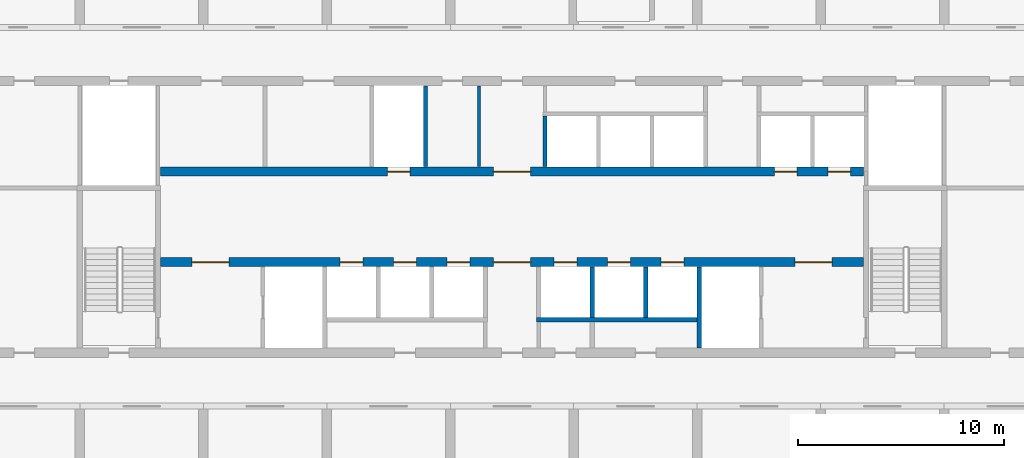
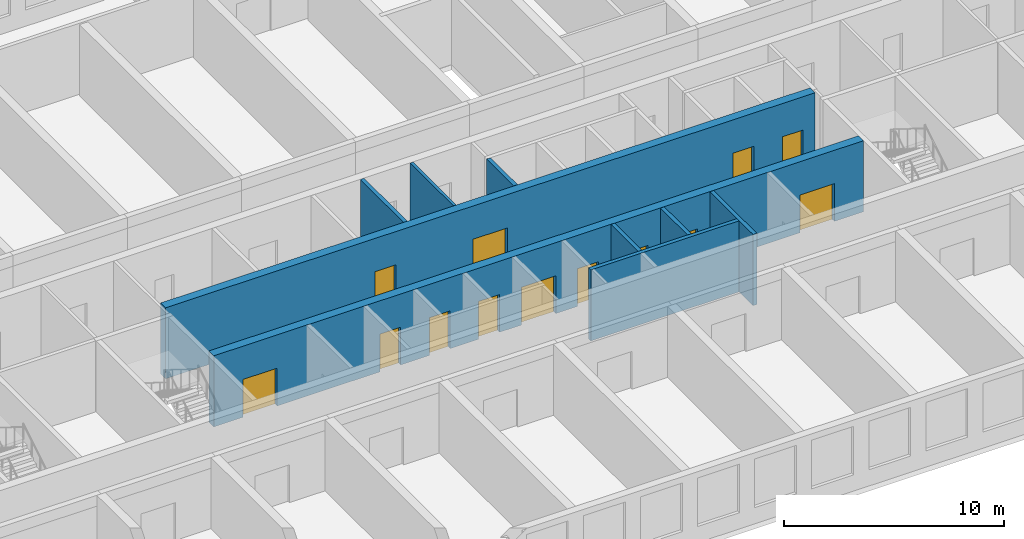
# One storey, part 5 of 15: 13 doors, 9 walls, 13 openings.
"""IFC4 building model written with IfcOpenShell, lengths in metres."""

from ifc_helpers import new_model, si_unit, direction, frame, frame_2d, origin, place, context, subcontext, project, spatial, rectangle, extrude, material, layer, layer_set, type_object, element, fill, save


model = new_model("IFC4")

# Units and contexts
model_context = context("Model", 3, precision=1e-05, world=origin(), true_north=direction((0.0, 1.0)))
body_context = subcontext(model_context, "Body", "Model", "MODEL_VIEW")
ifc_project = project(units=[si_unit("LENGTHUNIT", "METRE"), si_unit("AREAUNIT", "SQUARE_METRE"), si_unit("VOLUMEUNIT", "CUBIC_METRE"), si_unit("PLANEANGLEUNIT", "RADIAN"), si_unit("MASSUNIT", "GRAM", prefix="KILO")], contexts=[model_context])

# Site, building, storey
site_placement = place(None, origin())
site = spatial("IfcSite", under=ifc_project, at=site_placement, CompositionType="ELEMENT")
building_placement = place(site_placement, origin())
building = spatial("IfcBuilding", under=site, at=building_placement, Name="Poui Terraces", CompositionType="ELEMENT")
storey_placement = place(building_placement, frame((0.0, 0.0, 19.199951171875)))
storey = spatial("IfcBuildingStorey", under=building, at=storey_placement, Name="L04", CompositionType="ELEMENT", Elevation=19.199951171875)

# Wall, openings, doors
ifc_material_1 = material(Name="Concrete 80 MPa", Category="concrete")
ifc_layer_1 = layer(ifc_material_1, 0.449951171875)
ifc_layer_set_1 = layer_set([ifc_layer_1], Name="Concrete 80 MPa")
wall_type_1 = type_object("IfcWallType", Name="CORE WALL 450 80 MPA", PredefinedType="SOLIDWALL", material=ifc_layer_set_1)
wall_1_placement = place(storey_placement, frame((33.925048828125, 19.0, 0.0), z_axis=(0.0, 0.0, 1.0), x_axis=(1.0, 0.0, 0.0)))
wall_1 = element("IfcWall", 1, at=wall_1_placement, inside=storey, type_object=wall_type_1, Name="CORE WALL", PredefinedType="SOLIDWALL", context=body_context, shape_type="SweptSolid", body=[
    extrude(rectangle(XDim=34.14990234375, YDim=0.449951171875, at=frame_2d((17.074951171875, 0.0))), origin(), (0.0, 0.0, 1.0), 3.949951171875),
])
opening_1_placement = place(wall_1_placement, frame((16.175048828125, 0.0, 0.0)))
opening_1 = element("IfcOpeningElement", 2, at=opening_1_placement, cuts=wall_1, Name="Opening FDD60", PredefinedType="OPENING", context=body_context, shape_type="SweptSolid", body=[
    extrude(rectangle(XDim=1.800048828125, YDim=2.10009765625, at=frame_2d((0.89990234375, 1.050048828125))), frame((0.0, 0.23486328125, 0.0), z_axis=(0.0, -1.0, 0.0), x_axis=(1.0, 0.0, 0.0)), (0.0, 0.0, 1.0), 0.469970703125),
])
opening_2_placement = place(wall_1_placement, frame((1.52490234375, 0.0, 0.0)))
opening_2 = element("IfcOpeningElement", 3, at=opening_2_placement, cuts=wall_1, Name="Opening FDD60", PredefinedType="OPENING", context=body_context, shape_type="SweptSolid", body=[
    extrude(rectangle(XDim=1.800048828125, YDim=2.10009765625, at=frame_2d((0.89990234375, 1.050048828125))), frame((0.0, 0.23486328125, 0.0), z_axis=(0.0, -1.0, 0.0), x_axis=(1.0, 0.0, 0.0)), (0.0, 0.0, 1.0), 0.469970703125),
])
opening_3_placement = place(wall_1_placement, frame((8.72509765625, 0.0, 0.0)))
opening_3 = element("IfcOpeningElement", 4, at=opening_3_placement, cuts=wall_1, Name="Opening LD", PredefinedType="OPENING", context=body_context, shape_type="SweptSolid", body=[
    extrude(rectangle(XDim=1.10009765625, YDim=2.10009765625, at=frame_2d((0.550048828125, 1.050048828125))), frame((0.0, 0.23486328125, 0.0), z_axis=(0.0, -1.0, 0.0), x_axis=(1.0, 0.0, 0.0)), (0.0, 0.0, 1.0), 0.469970703125),
])
opening_4_placement = place(wall_1_placement, frame((11.324951171875, 0.0, 0.0)))
opening_4 = element("IfcOpeningElement", 5, at=opening_4_placement, cuts=wall_1, Name="Opening LD", PredefinedType="OPENING", context=body_context, shape_type="SweptSolid", body=[
    extrude(rectangle(XDim=1.10009765625, YDim=2.10009765625, at=frame_2d((0.550048828125, 1.050048828125))), frame((0.0, 0.23486328125, 0.0), z_axis=(0.0, -1.0, 0.0), x_axis=(1.0, 0.0, 0.0)), (0.0, 0.0, 1.0), 0.469970703125),
])
opening_5_placement = place(wall_1_placement, frame((13.925048828125, 0.0, 0.0)))
opening_5 = element("IfcOpeningElement", 6, at=opening_5_placement, cuts=wall_1, Name="Opening LD", PredefinedType="OPENING", context=body_context, shape_type="SweptSolid", body=[
    extrude(rectangle(XDim=1.10009765625, YDim=2.10009765625, at=frame_2d((0.550048828125, 1.050048828125))), frame((0.0, 0.23486328125, 0.0), z_axis=(0.0, -1.0, 0.0), x_axis=(1.0, 0.0, 0.0)), (0.0, 0.0, 1.0), 0.469970703125),
])
opening_6_placement = place(wall_1_placement, frame((19.125, 0.0, 0.0)))
opening_6 = element("IfcOpeningElement", 7, at=opening_6_placement, cuts=wall_1, Name="Opening LD", PredefinedType="OPENING", context=body_context, shape_type="SweptSolid", body=[
    extrude(rectangle(XDim=1.10009765625, YDim=2.10009765625, at=frame_2d((0.550048828125, 1.050048828125))), frame((0.0, 0.23486328125, 0.0), z_axis=(0.0, -1.0, 0.0), x_axis=(1.0, 0.0, 0.0)), (0.0, 0.0, 1.0), 0.469970703125),
])
opening_7_placement = place(wall_1_placement, frame((21.72509765625, 0.0, 0.0)))
opening_7 = element("IfcOpeningElement", 8, at=opening_7_placement, cuts=wall_1, Name="Opening LD", PredefinedType="OPENING", context=body_context, shape_type="SweptSolid", body=[
    extrude(rectangle(XDim=1.10009765625, YDim=2.10009765625, at=frame_2d((0.550048828125, 1.050048828125))), frame((0.0, 0.23486328125, 0.0), z_axis=(0.0, -1.0, 0.0), x_axis=(1.0, 0.0, 0.0)), (0.0, 0.0, 1.0), 0.469970703125),
])
opening_8_placement = place(wall_1_placement, frame((24.324951171875, 0.0, 0.0)))
opening_8 = element("IfcOpeningElement", 9, at=opening_8_placement, cuts=wall_1, Name="Opening LD", PredefinedType="OPENING", context=body_context, shape_type="SweptSolid", body=[
    extrude(rectangle(XDim=1.10009765625, YDim=2.10009765625, at=frame_2d((0.550048828125, 1.050048828125))), frame((0.0, 0.23486328125, 0.0), z_axis=(0.0, -1.0, 0.0), x_axis=(1.0, 0.0, 0.0)), (0.0, 0.0, 1.0), 0.469970703125),
])
opening_9_placement = place(wall_1_placement, frame((30.824951171875, 0.0, 0.0)))
opening_9 = element("IfcOpeningElement", 10, at=opening_9_placement, cuts=wall_1, Name="Opening FDD60", PredefinedType="OPENING", context=body_context, shape_type="SweptSolid", body=[
    extrude(rectangle(XDim=1.800048828125, YDim=2.10009765625, at=frame_2d((0.89990234375, 1.050048828125))), frame((0.0, 0.23486328125, 0.0), z_axis=(0.0, -1.0, 0.0), x_axis=(1.0, 0.0, 0.0)), (0.0, 0.0, 1.0), 0.469970703125),
])
ifc_material_2 = material(Name="Steel fire door", Category="steel")
door_type_1 = type_object("IfcDoorType", Name="DOUBLE LOBBY FIRE DOOR 1800 X 2100", OperationType="DOUBLE_DOOR_SINGLE_SWING", PredefinedType="DOOR", material=ifc_material_2)
door_1_placement = place(opening_1_placement, frame((1.800048828125, 0.0, 0.0), z_axis=(0.0, 0.0, 1.0), x_axis=(-1.0, 0.0, 0.0)))
door_1 = element("IfcDoor", 11, at=door_1_placement, inside=storey, type_object=door_type_1, Name="DOUBLE LOBBY FIRE DOOR 087", OperationType="DOUBLE_DOOR_SINGLE_SWING", OverallHeight=2.10009765625, OverallWidth=1.800048828125, PredefinedType="DOOR", context=body_context, shape_type="SweptSolid", body=[
    extrude(rectangle(XDim=1.800048828125, YDim=2.10009765625, at=frame_2d((0.89990234375, 1.050048828125))), frame((0.0, 0.02490234375, 0.0), z_axis=(0.0, -1.0, 0.0), x_axis=(1.0, 0.0, 0.0)), (0.0, 0.0, 1.0), 0.050048828125),
])
fill(opening_1, door_1)
door_2_placement = place(opening_2_placement, origin())
door_2 = element("IfcDoor", 12, at=door_2_placement, inside=storey, type_object=door_type_1, Name="DOUBLE LOBBY FIRE DOOR 088", OperationType="DOUBLE_DOOR_SINGLE_SWING", OverallHeight=2.10009765625, OverallWidth=1.800048828125, PredefinedType="DOOR", context=body_context, shape_type="SweptSolid", body=[
    extrude(rectangle(XDim=1.800048828125, YDim=2.10009765625, at=frame_2d((0.89990234375, 1.050048828125))), frame((0.0, 0.02490234375, 0.0), z_axis=(0.0, -1.0, 0.0), x_axis=(1.0, 0.0, 0.0)), (0.0, 0.0, 1.0), 0.050048828125),
])
fill(opening_2, door_2)
door_3_placement = place(opening_9_placement, origin())
door_3 = element("IfcDoor", 13, at=door_3_placement, inside=storey, type_object=door_type_1, Name="DOUBLE LOBBY FIRE DOOR 097", OperationType="DOUBLE_DOOR_SINGLE_SWING", OverallHeight=2.10009765625, OverallWidth=1.800048828125, PredefinedType="DOOR", context=body_context, shape_type="SweptSolid", body=[
    extrude(rectangle(XDim=1.800048828125, YDim=2.10009765625, at=frame_2d((0.89990234375, 1.050048828125))), frame((0.0, 0.02490234375, 0.0), z_axis=(0.0, -1.0, 0.0), x_axis=(1.0, 0.0, 0.0)), (0.0, 0.0, 1.0), 0.050048828125),
])
fill(opening_9, door_3)
ifc_material_3 = material(Name="Stainless steel sliding door", Category="steel")
door_type_2 = type_object("IfcDoorType", Name="LIFT LANDING DOOR 1100 X 2100", OperationType="DOUBLE_DOOR_SLIDING", PredefinedType="DOOR", material=ifc_material_3)
door_4_placement = place(opening_3_placement, origin())
door_4 = element("IfcDoor", 14, at=door_4_placement, inside=storey, type_object=door_type_2, Name="LANDING DOOR", OperationType="DOUBLE_DOOR_SLIDING", OverallHeight=2.10009765625, OverallWidth=1.10009765625, PredefinedType="DOOR", context=body_context, shape_type="SweptSolid", body=[
    extrude(rectangle(XDim=1.10009765625, YDim=2.10009765625, at=frame_2d((0.550048828125, 1.050048828125))), frame((0.0, 0.02490234375, 0.0), z_axis=(0.0, -1.0, 0.0), x_axis=(1.0, 0.0, 0.0)), (0.0, 0.0, 1.0), 0.050048828125),
])
fill(opening_3, door_4)
door_5_placement = place(opening_4_placement, origin())
door_5 = element("IfcDoor", 15, at=door_5_placement, inside=storey, type_object=door_type_2, Name="LANDING DOOR", OperationType="DOUBLE_DOOR_SLIDING", OverallHeight=2.10009765625, OverallWidth=1.10009765625, PredefinedType="DOOR", context=body_context, shape_type="SweptSolid", body=[
    extrude(rectangle(XDim=1.10009765625, YDim=2.10009765625, at=frame_2d((0.550048828125, 1.050048828125))), frame((0.0, 0.02490234375, 0.0), z_axis=(0.0, -1.0, 0.0), x_axis=(1.0, 0.0, 0.0)), (0.0, 0.0, 1.0), 0.050048828125),
])
fill(opening_4, door_5)
door_6_placement = place(opening_5_placement, origin())
door_6 = element("IfcDoor", 16, at=door_6_placement, inside=storey, type_object=door_type_2, Name="LANDING DOOR", OperationType="DOUBLE_DOOR_SLIDING", OverallHeight=2.10009765625, OverallWidth=1.10009765625, PredefinedType="DOOR", context=body_context, shape_type="SweptSolid", body=[
    extrude(rectangle(XDim=1.10009765625, YDim=2.10009765625, at=frame_2d((0.550048828125, 1.050048828125))), frame((0.0, 0.02490234375, 0.0), z_axis=(0.0, -1.0, 0.0), x_axis=(1.0, 0.0, 0.0)), (0.0, 0.0, 1.0), 0.050048828125),
])
fill(opening_5, door_6)
door_7_placement = place(opening_6_placement, origin())
door_7 = element("IfcDoor", 17, at=door_7_placement, inside=storey, type_object=door_type_2, Name="LANDING DOOR", OperationType="DOUBLE_DOOR_SLIDING", OverallHeight=2.10009765625, OverallWidth=1.10009765625, PredefinedType="DOOR", context=body_context, shape_type="SweptSolid", body=[
    extrude(rectangle(XDim=1.10009765625, YDim=2.10009765625, at=frame_2d((0.550048828125, 1.050048828125))), frame((0.0, 0.02490234375, 0.0), z_axis=(0.0, -1.0, 0.0), x_axis=(1.0, 0.0, 0.0)), (0.0, 0.0, 1.0), 0.050048828125),
])
fill(opening_6, door_7)
door_8_placement = place(opening_7_placement, origin())
door_8 = element("IfcDoor", 18, at=door_8_placement, inside=storey, type_object=door_type_2, Name="LANDING DOOR", OperationType="DOUBLE_DOOR_SLIDING", OverallHeight=2.10009765625, OverallWidth=1.10009765625, PredefinedType="DOOR", context=body_context, shape_type="SweptSolid", body=[
    extrude(rectangle(XDim=1.10009765625, YDim=2.10009765625, at=frame_2d((0.550048828125, 1.050048828125))), frame((0.0, 0.02490234375, 0.0), z_axis=(0.0, -1.0, 0.0), x_axis=(1.0, 0.0, 0.0)), (0.0, 0.0, 1.0), 0.050048828125),
])
fill(opening_7, door_8)
door_9_placement = place(opening_8_placement, origin())
door_9 = element("IfcDoor", 19, at=door_9_placement, inside=storey, type_object=door_type_2, Name="LANDING DOOR", OperationType="DOUBLE_DOOR_SLIDING", OverallHeight=2.10009765625, OverallWidth=1.10009765625, PredefinedType="DOOR", context=body_context, shape_type="SweptSolid", body=[
    extrude(rectangle(XDim=1.10009765625, YDim=2.10009765625, at=frame_2d((0.550048828125, 1.050048828125))), frame((0.0, 0.02490234375, 0.0), z_axis=(0.0, -1.0, 0.0), x_axis=(1.0, 0.0, 0.0)), (0.0, 0.0, 1.0), 0.050048828125),
])
fill(opening_8, door_9)

wall_2_placement = place(storey_placement, frame((33.925048828125, 23.39990234375, 0.0), z_axis=(0.0, 0.0, 1.0), x_axis=(1.0, 0.0, 0.0)))
wall_2 = element("IfcWall", 20, at=wall_2_placement, inside=storey, type_object=wall_type_1, Name="CORE WALL", PredefinedType="SOLIDWALL", context=body_context, shape_type="SweptSolid", body=[
    extrude(rectangle(XDim=34.14990234375, YDim=0.449951171875, at=frame_2d((17.074951171875, 0.0))), origin(), (0.0, 0.0, 1.0), 3.949951171875),
])
opening_10_placement = place(wall_2_placement, frame((16.175048828125, 0.0, 0.0)))
opening_10 = element("IfcOpeningElement", 21, at=opening_10_placement, cuts=wall_2, Name="Opening FDD60", PredefinedType="OPENING", context=body_context, shape_type="SweptSolid", body=[
    extrude(rectangle(XDim=1.800048828125, YDim=2.10009765625, at=frame_2d((0.89990234375, 1.050048828125))), frame((0.0, 0.23486328125, 0.0), z_axis=(0.0, -1.0, 0.0), x_axis=(1.0, 0.0, 0.0)), (0.0, 0.0, 1.0), 0.469970703125),
])
opening_11_placement = place(wall_2_placement, frame((11.02490234375, 0.0, 0.0)))
opening_11 = element("IfcOpeningElement", 22, at=opening_11_placement, cuts=wall_2, Name="Opening LD", PredefinedType="OPENING", context=body_context, shape_type="SweptSolid", body=[
    extrude(rectangle(XDim=1.10009765625, YDim=2.10009765625, at=frame_2d((0.550048828125, 1.050048828125))), frame((0.0, 0.23486328125, 0.0), z_axis=(0.0, -1.0, 0.0), x_axis=(1.0, 0.0, 0.0)), (0.0, 0.0, 1.0), 0.469970703125),
])
opening_12_placement = place(wall_2_placement, frame((29.824951171875, 0.0, 0.0)))
opening_12 = element("IfcOpeningElement", 23, at=opening_12_placement, cuts=wall_2, Name="Opening LD", PredefinedType="OPENING", context=body_context, shape_type="SweptSolid", body=[
    extrude(rectangle(XDim=1.10009765625, YDim=2.10009765625, at=frame_2d((0.550048828125, 1.050048828125))), frame((0.0, 0.23486328125, 0.0), z_axis=(0.0, -1.0, 0.0), x_axis=(1.0, 0.0, 0.0)), (0.0, 0.0, 1.0), 0.469970703125),
])
opening_13_placement = place(wall_2_placement, frame((32.425048828125, 0.0, 0.0)))
opening_13 = element("IfcOpeningElement", 24, at=opening_13_placement, cuts=wall_2, Name="Opening LD", PredefinedType="OPENING", context=body_context, shape_type="SweptSolid", body=[
    extrude(rectangle(XDim=1.10009765625, YDim=2.10009765625, at=frame_2d((0.550048828125, 1.050048828125))), frame((0.0, 0.23486328125, 0.0), z_axis=(0.0, -1.0, 0.0), x_axis=(1.0, 0.0, 0.0)), (0.0, 0.0, 1.0), 0.469970703125),
])
door_10_placement = place(opening_10_placement, origin())
door_10 = element("IfcDoor", 25, at=door_10_placement, inside=storey, type_object=door_type_1, Name="DOUBLE LOBBY FIRE DOOR 086", OperationType="DOUBLE_DOOR_SINGLE_SWING", OverallHeight=2.10009765625, OverallWidth=1.800048828125, PredefinedType="DOOR", context=body_context, shape_type="SweptSolid", body=[
    extrude(rectangle(XDim=1.800048828125, YDim=2.10009765625, at=frame_2d((0.89990234375, 1.050048828125))), frame((0.0, 0.02490234375, 0.0), z_axis=(0.0, -1.0, 0.0), x_axis=(1.0, 0.0, 0.0)), (0.0, 0.0, 1.0), 0.050048828125),
])
fill(opening_10, door_10)
door_11_placement = place(opening_11_placement, origin())
door_11 = element("IfcDoor", 26, at=door_11_placement, inside=storey, type_object=door_type_2, Name="LANDING DOOR", OperationType="DOUBLE_DOOR_SLIDING", OverallHeight=2.10009765625, OverallWidth=1.10009765625, PredefinedType="DOOR", context=body_context, shape_type="SweptSolid", body=[
    extrude(rectangle(XDim=1.10009765625, YDim=2.10009765625, at=frame_2d((0.550048828125, 1.050048828125))), frame((0.0, 0.02490234375, 0.0), z_axis=(0.0, -1.0, 0.0), x_axis=(1.0, 0.0, 0.0)), (0.0, 0.0, 1.0), 0.050048828125),
])
fill(opening_11, door_11)
door_12_placement = place(opening_12_placement, origin())
door_12 = element("IfcDoor", 27, at=door_12_placement, inside=storey, type_object=door_type_2, Name="LANDING DOOR", OperationType="DOUBLE_DOOR_SLIDING", OverallHeight=2.10009765625, OverallWidth=1.10009765625, PredefinedType="DOOR", context=body_context, shape_type="SweptSolid", body=[
    extrude(rectangle(XDim=1.10009765625, YDim=2.10009765625, at=frame_2d((0.550048828125, 1.050048828125))), frame((0.0, 0.02490234375, 0.0), z_axis=(0.0, -1.0, 0.0), x_axis=(1.0, 0.0, 0.0)), (0.0, 0.0, 1.0), 0.050048828125),
])
fill(opening_12, door_12)
door_13_placement = place(opening_13_placement, origin())
door_13 = element("IfcDoor", 28, at=door_13_placement, inside=storey, type_object=door_type_2, Name="LANDING DOOR", OperationType="DOUBLE_DOOR_SLIDING", OverallHeight=2.10009765625, OverallWidth=1.10009765625, PredefinedType="DOOR", context=body_context, shape_type="SweptSolid", body=[
    extrude(rectangle(XDim=1.10009765625, YDim=2.10009765625, at=frame_2d((0.550048828125, 1.050048828125))), frame((0.0, 0.02490234375, 0.0), z_axis=(0.0, -1.0, 0.0), x_axis=(1.0, 0.0, 0.0)), (0.0, 0.0, 1.0), 0.050048828125),
])
fill(opening_13, door_13)

# Walls
ifc_material_4 = material(Name="Fire-rated plasterboard wall")
ifc_layer_2 = layer(ifc_material_4, 0.14990234375)
ifc_layer_set_2 = layer_set([ifc_layer_2], Name="Fire-rated plasterboard wall")
wall_type_2 = type_object("IfcWallType", Name="CORRIDOR WALL 150", PredefinedType="PARTITIONING", material=ifc_layer_set_2)
wall_3_placement = place(storey_placement, frame((49.39990234375, 23.635009765625, 0.0), z_axis=(0.0, 0.0, 1.0), x_axis=(0.0, 1.0, 0.0)))
element("IfcWall", 29, at=wall_3_placement, inside=storey, type_object=wall_type_2, Name="CORRIDOR WALL 150", PredefinedType="PARTITIONING", context=body_context, shape_type="SweptSolid", body=[
    extrude(rectangle(XDim=3.929931640625, YDim=0.14990234375, at=frame_2d((1.96484375, 0.0))), origin(), (0.0, 0.0, 1.0), 3.949951171875),
])
ifc_material_5 = material(Name="Fire-rated masonry shaft wall", Category="masonry")
ifc_layer_3 = layer(ifc_material_5, 0.199951171875)
ifc_layer_set_3 = layer_set([ifc_layer_3], Name="Fire-rated masonry shaft wall")
wall_type_3 = type_object("IfcWallType", Name="SHAFT WALL 200", PredefinedType="PARTITIONING", material=ifc_layer_set_3)
wall_4_placement = place(storey_placement, frame((52.199951171875, 16.199951171875, 0.0), z_axis=(0.0, 0.0, 1.0), x_axis=(1.0, 0.0, 0.0)))
element("IfcWall", 30, at=wall_4_placement, inside=storey, type_object=wall_type_3, Name="SHAFT WALL 200", PredefinedType="PARTITIONING", context=body_context, shape_type="SweptSolid", body=[
    extrude(rectangle(XDim=7.800048828125, YDim=0.199951171875, at=frame_2d((3.89990234375, 0.0))), origin(), (0.0, 0.0, 1.0), 3.949951171875),
])
wall_5_placement = place(storey_placement, frame((46.800048828125, 23.635009765625, 0.0), z_axis=(0.0, 0.0, 1.0), x_axis=(0.0, 1.0, 0.0)))
element("IfcWall", 31, at=wall_5_placement, inside=storey, type_object=wall_type_3, Name="SHAFT WALL 200", PredefinedType="PARTITIONING", context=body_context, shape_type="SweptSolid", body=[
    extrude(rectangle(XDim=3.929931640625, YDim=0.199951171875, at=frame_2d((1.96484375, 0.0))), origin(), (0.0, 0.0, 1.0), 3.949951171875),
])
wall_6_placement = place(storey_placement, frame((52.60009765625, 23.635009765625, 0.0), z_axis=(0.0, 0.0, 1.0), x_axis=(0.0, 1.0, 0.0)))
element("IfcWall", 32, at=wall_6_placement, inside=storey, type_object=wall_type_3, Name="SHAFT WALL 200", PredefinedType="PARTITIONING", context=body_context, shape_type="SweptSolid", body=[
    extrude(rectangle(XDim=2.465087890625, YDim=0.199951171875, at=frame_2d((1.232421875, 0.0))), origin(), (0.0, 0.0, 1.0), 3.949951171875),
])
for number, where, z_axis, x_axis, name in (
    (33, (54.89990234375, 16.300048828125, 0.0), (0.0, 0.0, 1.0), (0.0, 1.0, 0.0), "SHAFT WALL 200"),
    (34, (57.5, 16.300048828125, 0.0), (0.0, 0.0, 1.0), (0.0, 1.0, 0.0), "SHAFT WALL 200"),
):
    element("IfcWall", number, at=place(storey_placement, frame(where, z_axis=z_axis, x_axis=x_axis)), inside=storey, type_object=wall_type_3, Name=name, PredefinedType="PARTITIONING", context=body_context, shape_type="SweptSolid", body=[
        extrude(rectangle(XDim=2.46484375, YDim=0.199951171875, at=frame_2d((1.232421875, 0.0))), origin(), (0.0, 0.0, 1.0), 3.949951171875),
    ])
wall_7_placement = place(storey_placement, frame((60.10009765625, 14.8349609375, 0.0), z_axis=(0.0, 0.0, 1.0), x_axis=(0.0, 1.0, 0.0)))
element("IfcWall", 35, at=wall_7_placement, inside=storey, type_object=wall_type_3, Name="SHAFT WALL 200", PredefinedType="PARTITIONING", context=body_context, shape_type="SweptSolid", body=[
    extrude(rectangle(XDim=3.929931640625, YDim=0.199951171875, at=frame_2d((1.96484375, 0.0))), origin(), (0.0, 0.0, 1.0), 3.949951171875),
])

save(model, "model.ifc")
